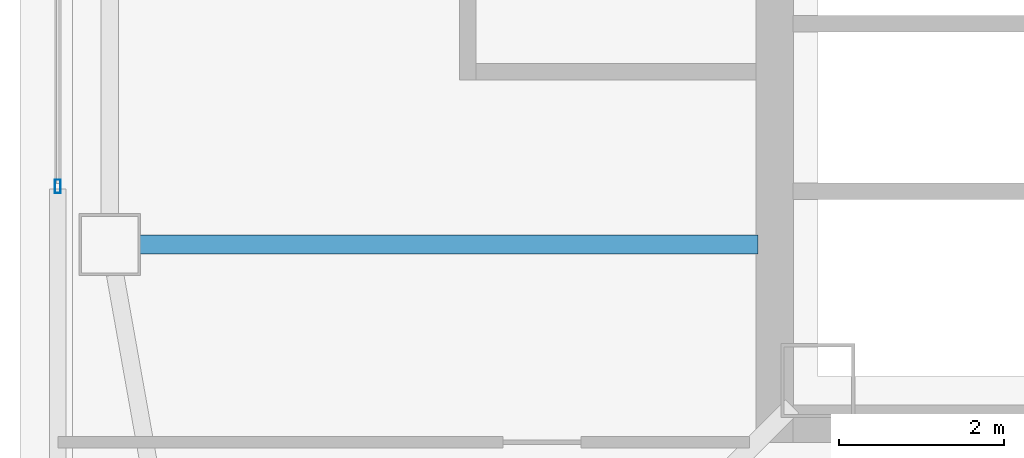
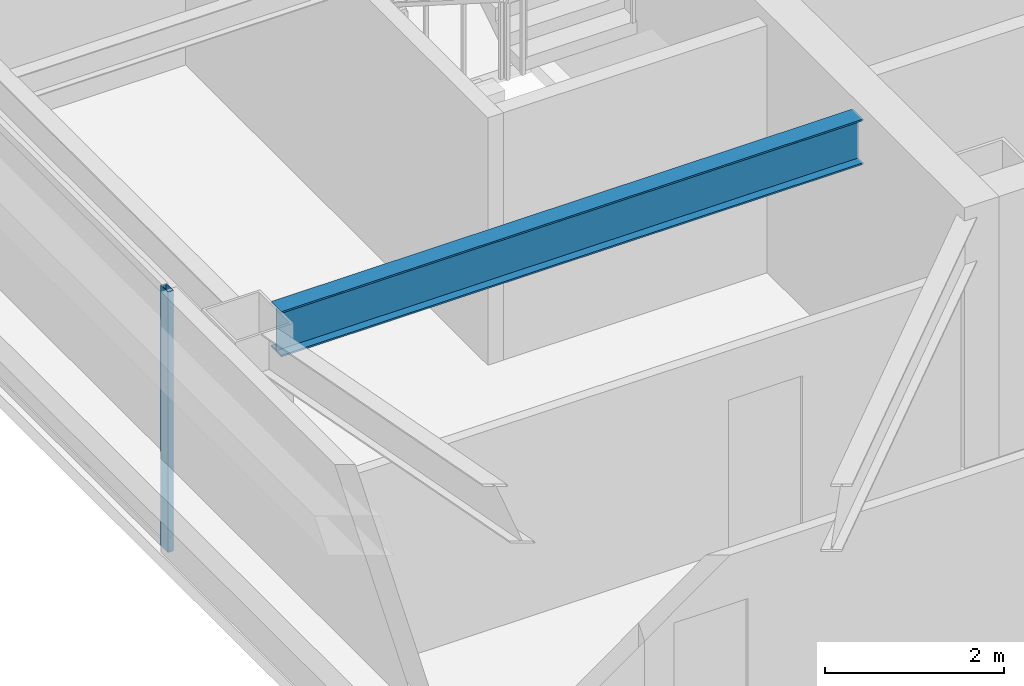
# One storey, part 5 of 40: 1 beam, 1 member, 1 element without a shape of its own.
"""IFC4 building model written with IfcOpenShell, lengths in metres."""

import ifcopenshell
import ifcopenshell.guid

model = None  # the IFC model being written
_history = None  # IfcOwnerHistory: only IFC2X3 demands one
_inside = {}  # id of a spatial element -> (the spatial element, [elements in it])
_under = {}  # id of a project, library or spatial element -> (it, [spatial elements below it])
_declared = {}  # id of a project -> (the project, [libraries it declares])
_typed = {}  # id of a type object -> (the type object, [elements of that type])
_made_of = {}  # id of a material, layer set ... -> (it, [elements and type objects made of it])


def new_model(schema):
    """Start an empty IFC model of exactly this schema.

    Asked for "IFC4X3", IfcOpenShell would pick the latest addendum, in which some entities
    have other attributes; the version numbers below select the first issue.
    IFC2X3 requires an IfcOwnerHistory on every rooted entity: one is made here for all.
    """
    global model, _history
    if schema == "IFC4X3":
        model = ifcopenshell.file(schema_version=(4, 3, 0, 0))
    else:
        model = ifcopenshell.file(schema=schema)
    _inside.clear()
    _under.clear()
    _declared.clear()
    _typed.clear()
    _made_of.clear()
    _history = None
    if model.schema == "IFC2X3":
        org = make("IfcOrganization", Name="unknown")
        user = make(
            "IfcPersonAndOrganization",
            ThePerson=make("IfcPerson", FamilyName="unknown"),
            TheOrganization=org,
        )
        app = make(
            "IfcApplication",
            ApplicationDeveloper=org,
            Version="unknown",
            ApplicationFullName="unknown",
            ApplicationIdentifier="unknown",
        )
        _history = make(
            "IfcOwnerHistory",
            OwningUser=user,
            OwningApplication=app,
            ChangeAction="ADDED",
            CreationDate=0,
        )
    return model


def make(cls, **values):
    """One entity of the class cls with the attributes given. An attribute that is None is left unset."""
    return model.create_entity(
        cls, **{name: value for name, value in values.items() if value is not None}
    )


def rooted(cls, **values):
    """An entity with a GlobalId (a new one), such as an element, a storey or a relation."""
    return make(cls, GlobalId=ifcopenshell.guid.new(), OwnerHistory=_history, **values)


def si_unit(unit_type, name, prefix=None):
    """IfcSIUnit, for example si_unit("LENGTHUNIT", "METRE", prefix="MILLI")."""
    return make("IfcSIUnit", UnitType=unit_type, Prefix=prefix, Name=name)


def assignment(units):
    """IfcUnitAssignment: the units of a project."""
    return None if units is None else make("IfcUnitAssignment", Units=units)


def point(xyz):
    """IfcCartesianPoint."""
    return None if xyz is None else make("IfcCartesianPoint", Coordinates=xyz)


def direction(xyz):
    """IfcDirection."""
    return None if xyz is None else make("IfcDirection", DirectionRatios=xyz)


def frame(location, z_axis=None, x_axis=None):
    """IfcAxis2Placement3D, a coordinate frame: its origin and axes. An axis left out is left unset."""
    return make(
        "IfcAxis2Placement3D",
        Location=point(location),
        Axis=direction(z_axis),
        RefDirection=direction(x_axis),
    )


def frame_2d(location, x_axis=None):
    """IfcAxis2Placement2D, a coordinate frame in the plane: its origin and x axis."""
    return make(
        "IfcAxis2Placement2D", Location=point(location), RefDirection=direction(x_axis)
    )


def origin():
    """The frame at (0, 0, 0) with its axes left unset."""
    return frame((0.0, 0.0, 0.0))


def origin_2d():
    """The frame at (0, 0) in the plane with its x axis left unset."""
    return frame_2d((0.0, 0.0))


def place(relative_to, where):
    """IfcLocalPlacement: puts the frame where relative to a parent placement (None: the world)."""
    return make(
        "IfcLocalPlacement", PlacementRelTo=relative_to, RelativePlacement=where
    )


def context(
    kind, dimensions, precision=None, world=None, true_north=None, identifier=None
):
    """IfcGeometricRepresentationContext, for example the 3D "Model" context."""
    return make(
        "IfcGeometricRepresentationContext",
        ContextIdentifier=identifier,
        ContextType=kind,
        CoordinateSpaceDimension=dimensions,
        Precision=precision,
        WorldCoordinateSystem=world,
        TrueNorth=true_north,
    )


def subcontext(parent, identifier, kind, view, scale=None):
    """IfcGeometricRepresentationSubContext, for example "Body" below "Model"."""
    return make(
        "IfcGeometricRepresentationSubContext",
        ContextIdentifier=identifier,
        ContextType=kind,
        ParentContext=parent,
        TargetScale=scale,
        TargetView=view,
    )


def project(units=None, contexts=None):
    """IfcProject with its units and contexts."""
    return rooted(
        "IfcProject",
        Name="project",
        RepresentationContexts=contexts,
        UnitsInContext=assignment(units),
    )


def spatial(cls, under=None, at=None, **own):
    """A site, building, storey or space (cls), placed at a placement, below another one or the project."""
    s = rooted(cls, ObjectPlacement=at, **own)
    if under is not None:
        _under.setdefault(under.id(), (under, []))[1].append(s)
    return s


def profile(cls, at=None, kind="AREA", **sizes):
    """A parametric profile (cls). Its sizes go by their IFC names, for example OverallWidth=200.0."""
    return make(cls, ProfileType=kind, Position=at, **sizes)


def hollow_rectangle(**sizes):
    """IfcRectangleHollowProfileDef."""
    return profile("IfcRectangleHollowProfileDef", **sizes)


def i_section(**sizes):
    """IfcIShapeProfileDef."""
    return profile("IfcIShapeProfileDef", **sizes)


def extrude(swept, where, along, depth):
    """IfcExtrudedAreaSolid: the profile swept, set in the frame where, extruded along a direction by depth."""
    return make(
        "IfcExtrudedAreaSolid",
        SweptArea=swept,
        Position=where,
        ExtrudedDirection=direction(along),
        Depth=depth,
    )


def shape(context_of_items, identifier, shape_type, items):
    """IfcShapeRepresentation: the items that make up one representation, for example the "Body"."""
    return make(
        "IfcShapeRepresentation",
        ContextOfItems=context_of_items,
        RepresentationIdentifier=identifier,
        RepresentationType=shape_type,
        Items=items,
    )


def material(Name=None, Category=None):
    """IfcMaterial."""
    return make("IfcMaterial", Name=Name, Category=Category)


def material_profile(
    of_material, cross_section, Name=None, Category=None, Priority=None
):
    """IfcMaterialProfile: a cross section and its material."""
    return make(
        "IfcMaterialProfile",
        Name=Name,
        Material=of_material,
        Profile=cross_section,
        Priority=Priority,
        Category=Category,
    )


def profile_set(profiles, Name=None, composite=None):
    """IfcMaterialProfileSet."""
    return make(
        "IfcMaterialProfileSet",
        Name=Name,
        MaterialProfiles=profiles,
        CompositeProfile=composite,
    )


def made_of(thing, what):
    """Note that an element or type object is made of a material, layer set ...; save() writes the relation."""
    if what is not None:
        _made_of.setdefault(what.id(), (what, []))[1].append(thing)
    return thing


def type_object(cls, material=None, **own):
    """A type object (cls), such as IfcWallType, which elements share."""
    return made_of(rooted(cls, **own), material)


def element(
    cls,
    number,
    at=None,
    inside=None,
    cuts=None,
    type_object=None,
    material=None,
    context=None,
    identifier="Body",
    shape_type=None,
    held_by="IfcProductDefinitionShape",
    body=None,
    shapes=None,
    **own,
):
    """One element of the class cls, such as IfcWall. Its Tag is "e" and its number.

    at: its placement. inside: the storey or other place that contains it. cuts: it is an
    opening in that element (IfcRelVoidsElement). A single representation is given by context,
    identifier, shape_type and body (its items); several are given by shapes. held_by: the class
    of the entity that holds the representations. save() writes the other relations.
    """
    e = rooted(cls, Tag="e%d" % number, ObjectPlacement=at, **own)
    if body is not None:
        shapes = [shape(context, identifier, shape_type, body)]
    if shapes is not None:
        e.Representation = make(held_by, Representations=shapes)
    if inside is not None:
        _inside.setdefault(inside.id(), (inside, []))[1].append(e)
    if cuts is not None:
        rooted(
            "IfcRelVoidsElement", RelatingBuildingElement=cuts, RelatedOpeningElement=e
        )
    if type_object is not None:
        _typed.setdefault(type_object.id(), (type_object, []))[1].append(e)
    return made_of(e, material)


def aggregate(whole, parts):
    """IfcRelAggregates: a whole, such as a stair, and the parts it consists of."""
    return rooted("IfcRelAggregates", RelatingObject=whole, RelatedObjects=parts)


def save(model, path):
    """Write the relations noted so far, then the file.

    IfcRelAggregates (storeys below a building ...), IfcRelContainedInSpatialStructure (elements
    in a storey), IfcRelDefinesByType, IfcRelAssociatesMaterial and IfcRelDeclares: one each for
    every whole, place, type object, material and project.
    """
    for whole, parts in _under.values():
        aggregate(whole, parts)
    for where, things in _inside.values():
        rooted(
            "IfcRelContainedInSpatialStructure",
            RelatedElements=things,
            RelatingStructure=where,
        )
    for kind, things in _typed.values():
        rooted("IfcRelDefinesByType", RelatedObjects=things, RelatingType=kind)
    for what, things in _made_of.values():
        rooted("IfcRelAssociatesMaterial", RelatedObjects=things, RelatingMaterial=what)
    for by, libraries in _declared.values():
        rooted("IfcRelDeclares", RelatingContext=by, RelatedDefinitions=libraries)
    model.write(path)


model = new_model("IFC4")

# Units and contexts
model_context = context("Model", 3, precision=1e-05, world=origin(), true_north=direction((0.0, 1.0)))
body_context = subcontext(model_context, "Body", "Model", "MODEL_VIEW")
ifc_project = project(units=[si_unit("LENGTHUNIT", "METRE"), si_unit("AREAUNIT", "SQUARE_METRE"), si_unit("VOLUMEUNIT", "CUBIC_METRE"), si_unit("PLANEANGLEUNIT", "RADIAN"), si_unit("MASSUNIT", "GRAM", prefix="KILO")], contexts=[model_context])

# Site, building, storey
site_placement = place(None, origin())
site = spatial("IfcSite", under=ifc_project, at=site_placement, CompositionType="ELEMENT")
building_placement = place(site_placement, origin())
building = spatial("IfcBuilding", under=site, at=building_placement, Name="Tashvorn Skyway Center", CompositionType="ELEMENT")
storey_placement = place(building_placement, frame((0.0, 0.0, 221.949951171875)))
storey = spatial("IfcBuildingStorey", under=building, at=storey_placement, Name="L60", CompositionType="ELEMENT", Elevation=221.949951171875)

# Beam
ifc_material_1 = material(Name="Steel ASTM A992 Grade 50", Category="steel")
ifc_material_profile_1 = material_profile(ifc_material_1, i_section(OverallWidth=0.22998046875, OverallDepth=0.616943359375, WebThickness=0.01318359375, FlangeThickness=0.022216796875, at=origin_2d()), Name="W24X94")
ifc_profile_set_1 = profile_set([ifc_material_profile_1], Name="Steel ASTM A992 Grade 50")
beam_type = type_object("IfcBeamType", Name="BM-BEAM-W24X94", PredefinedType="BEAM", material=ifc_profile_set_1)
beam_placement = place(storey_placement, frame((26.719970703125, 26.60009765625, 3.0615234375), z_axis=(1.0, 0.0, 0.0), x_axis=(0.0, 1.0, 0.0)))
element("IfcBeam", 1, at=beam_placement, inside=storey, type_object=beam_type, Name="Tower 1 L60 Primary Floor Girder FC-W2", PredefinedType="BEAM", context=body_context, shape_type="SweptSolid", body=[
    extrude(i_section(OverallWidth=0.22998046875, OverallDepth=0.616943359375, WebThickness=0.01318359375, FlangeThickness=0.022216796875, at=origin_2d()), origin(), (0.0, 0.0, 1.0), 7.5),
])

# Curtain wall, member
ifc_material_2 = material(Name="Thermally broken bronze-anodized aluminium 6063-T6", Category="aluminium")
curtain_wall_type = type_object("IfcCurtainWallType", Name="CW-CW-Z5", PredefinedType="NOTDEFINED", material=ifc_material_2)
curtain_wall_placement = place(storey_placement, origin())
curtain_wall = element("IfcCurtainWall", 2, at=curtain_wall_placement, inside=storey, type_object=curtain_wall_type, Name="Tower 1 L60 West Unitised Curtain Wall Glazing Group 1", PredefinedType="NOTDEFINED")
ifc_material_profile_2 = material_profile(ifc_material_2, hollow_rectangle(XDim=0.070068359375, YDim=0.1650390625, WallThickness=0.00390625, at=origin_2d()), Name="ALU-MULL-70x165")
ifc_profile_set_2 = profile_set([ifc_material_profile_2], Name="Thermally broken bronze-anodized aluminium 6063-T6")
member_type = type_object("IfcMemberType", Name="CWM-CW-Z5", PredefinedType="MULLION", material=ifc_profile_set_2)
member_placement = place(storey_placement, frame((25.719970703125, 27.308349609375, 0.0), z_axis=(0.0, 0.0, 1.0), x_axis=(-1.0, 0.0, 0.0)))
member = element("IfcMember", 3, at=member_placement, type_object=member_type, Name="CW-Z5 mullion 1", PredefinedType="MULLION", context=body_context, shape_type="SweptSolid", body=[
    extrude(hollow_rectangle(XDim=0.070068359375, YDim=0.1650390625, WallThickness=0.00390625, at=origin_2d()), origin(), (0.0, 0.0, 1.0), 3.550048828125),
])
aggregate(curtain_wall, [member])

save(model, "model.ifc")
